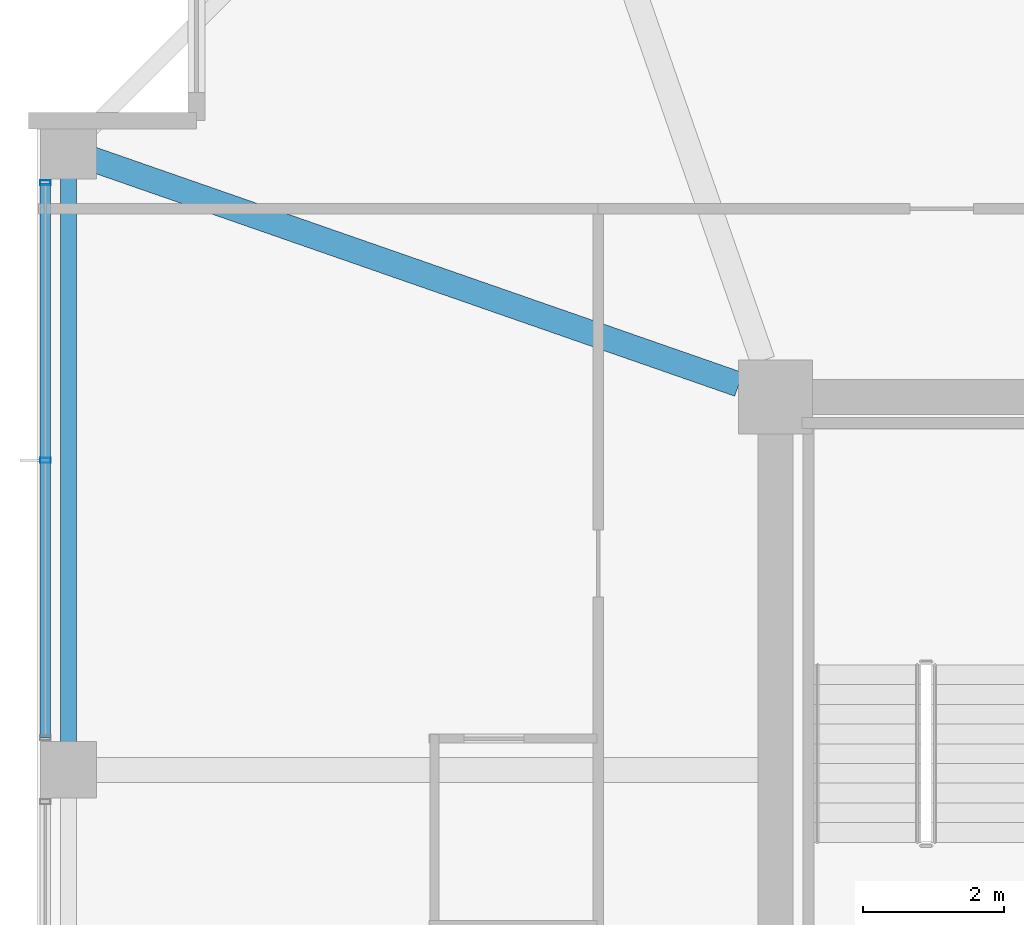
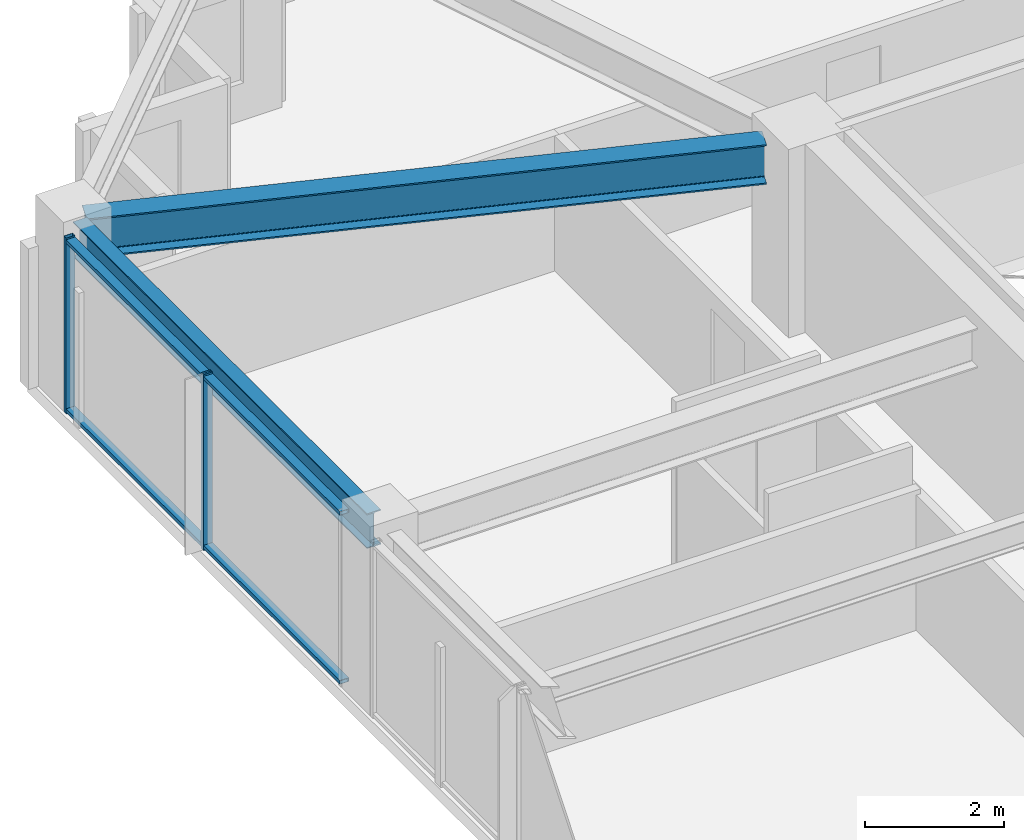
# One storey, part 14 of 36: 4 members, 2 beams, 1 element without a shape of its own.
"""IFC4 building model written with IfcOpenShell, lengths in metres."""

from ifc_helpers import new_model, si_unit, direction, frame, origin, origin_2d, place, context, subcontext, project, spatial, hollow_rectangle, i_section, extrude, material, material_profile, profile_set, type_object, element, aggregate, save


model = new_model("IFC4")

# Units and contexts
model_context = context("Model", 3, precision=1e-05, world=origin(), true_north=direction((0.0, 1.0)))
body_context = subcontext(model_context, "Body", "Model", "MODEL_VIEW")
ifc_project = project(units=[si_unit("LENGTHUNIT", "METRE"), si_unit("AREAUNIT", "SQUARE_METRE"), si_unit("VOLUMEUNIT", "CUBIC_METRE"), si_unit("PLANEANGLEUNIT", "RADIAN"), si_unit("MASSUNIT", "GRAM", prefix="KILO")], contexts=[model_context])

# Site, building, storey
site_placement = place(None, origin())
site = spatial("IfcSite", under=ifc_project, at=site_placement, CompositionType="ELEMENT")
building_placement = place(site_placement, origin())
building = spatial("IfcBuilding", under=site, at=building_placement, Name="Kolvaren Belvedere", CompositionType="ELEMENT")
storey_placement = place(building_placement, frame((0.0, 0.0, 199.800048828125)))
storey = spatial("IfcBuildingStorey", under=building, at=storey_placement, Name="L58", CompositionType="ELEMENT", Elevation=199.800048828125)

# Beams
ifc_material_1 = material(Name="Structural steel ASTM A992 Grade 50", Category="steel")
ifc_material_profile_1 = material_profile(ifc_material_1, i_section(OverallWidth=0.35498046875, OverallDepth=0.696044921875, WebThickness=0.015380859375, FlangeThickness=0.02490234375, FilletRadius=0.02197265625, at=origin_2d()), Name="W27X146")
ifc_profile_set_1 = profile_set([ifc_material_profile_1], Name="Structural steel ASTM A992 Grade 50")
beam_type_1 = type_object("IfcBeamType", Name="BM-GIRD-W27X146", PredefinedType="BEAM", material=ifc_profile_set_1)
beam_1_placement = place(storey_placement, frame((-10.41943359375, 10.080810546875, 2.73193359375), z_axis=(-0.944365399758, 0.328898147971, 0.0), x_axis=(-0.328898147971, -0.944365399758, 0.0)))
element("IfcBeam", 1, at=beam_1_placement, inside=storey, type_object=beam_type_1, Name="L58 Corner Core-to-Perimeter Girder CC4-W4", PredefinedType="BEAM", context=body_context, shape_type="SweptSolid", body=[
    extrude(i_section(OverallWidth=0.35498046875, OverallDepth=0.696044921875, WebThickness=0.015380859375, FlangeThickness=0.02490234375, FilletRadius=0.02197265625, at=origin_2d()), origin(), (0.0, 0.0, 1.0), 9.931884765625),
])
ifc_material_2 = material(Name="Structural steel ASTM A992 Grade 50", Category="steel")
ifc_material_profile_2 = material_profile(ifc_material_2, i_section(OverallWidth=0.22900390625, OverallDepth=0.612060546875, WebThickness=0.011962890625, FlangeThickness=0.01953125, FilletRadius=0.01806640625, at=origin_2d()), Name="W24X84")
ifc_profile_set_2 = profile_set([ifc_material_profile_2], Name="Structural steel ASTM A992 Grade 50")
beam_type_2 = type_object("IfcBeamType", Name="BM-SPAN-W24X84", PredefinedType="SPANDREL", material=ifc_profile_set_2)
beam_2_placement = place(storey_placement, frame((-19.949951171875, 13.219970703125, 2.77392578125), z_axis=(0.0, -1.0, 0.0), x_axis=(1.0, 0.0, 0.0)))
element("IfcBeam", 2, at=beam_2_placement, inside=storey, type_object=beam_type_2, Name="L58 Perimeter Spandrel W4-W3", PredefinedType="SPANDREL", context=body_context, shape_type="SweptSolid", body=[
    extrude(i_section(OverallWidth=0.22900390625, OverallDepth=0.612060546875, WebThickness=0.011962890625, FlangeThickness=0.01953125, FilletRadius=0.01806640625, at=origin_2d()), origin(), (0.0, 0.0, 1.0), 8.43994140625),
])

# Curtain wall, members
ifc_material_3 = material(Name="Anodised pale-metal aluminium AA 6063-T6", Category="aluminium")
curtain_wall_type = type_object("IfcCurtainWallType", Name="CW-Z5-HIGH", PredefinedType="NOTDEFINED", material=ifc_material_3)
curtain_wall_placement = place(storey_placement, origin())
curtain_wall = element("IfcCurtainWall", 3, at=curtain_wall_placement, inside=storey, type_object=curtain_wall_type, Name="L58 Unitised Curtain Wall FCW-L58-W-B3", PredefinedType="NOTDEFINED")
ifc_material_4 = material(Name="Anodised pale-metal aluminium AA 6063-T6", Category="aluminium")
ifc_material_profile_3 = material_profile(ifc_material_4, hollow_rectangle(XDim=0.070068359375, YDim=0.14990234375, WallThickness=0.004150390625, at=origin_2d()), Name="ALU-MUL-150X70")
ifc_profile_set_3 = profile_set([ifc_material_profile_3], Name="Anodised pale-metal aluminium AA 6063-T6")
member_type_1 = type_object("IfcMemberType", Name="CW-MUL-150", PredefinedType="MULLION", material=ifc_profile_set_3)
member_1_placement = place(storey_placement, frame((-20.280029296875, 9.0, 0.0), z_axis=(0.0, 0.0, 1.0), x_axis=(0.0, 1.0, 0.0)))
member_1 = element("IfcMember", 4, at=member_1_placement, type_object=member_type_1, Name="FCW-L58-W-B3 Unitised Mullion 2", PredefinedType="MULLION", context=body_context, shape_type="SweptSolid", body=[
    extrude(hollow_rectangle(XDim=0.070068359375, YDim=0.14990234375, WallThickness=0.004150390625, at=origin_2d()), origin(), (0.0, 0.0, 1.0), 3.079833984375),
])
member_2_placement = place(storey_placement, frame((-20.280029296875, 12.945068359375, 0.0), z_axis=(0.0, 0.0, 1.0), x_axis=(0.0, 1.0, 0.0)))
member_2 = element("IfcMember", 5, at=member_2_placement, type_object=member_type_1, Name="FCW-L58-W-B3 Unitised Mullion 3", PredefinedType="MULLION", context=body_context, shape_type="SweptSolid", body=[
    extrude(hollow_rectangle(XDim=0.070068359375, YDim=0.14990234375, WallThickness=0.004150390625, at=origin_2d()), origin(), (0.0, 0.0, 1.0), 3.079833984375),
])
ifc_material_5 = material(Name="Anodised pale-metal aluminium AA 6063-T6", Category="aluminium")
ifc_material_profile_4 = material_profile(ifc_material_5, hollow_rectangle(XDim=0.06494140625, YDim=0.14990234375, WallThickness=0.00390625, at=origin_2d()), Name="ALU-TRN-150X65")
ifc_profile_set_4 = profile_set([ifc_material_profile_4], Name="Anodised pale-metal aluminium AA 6063-T6")
member_type_2 = type_object("IfcMemberType", Name="CW-TRN-150", PredefinedType="USERDEFINED", material=ifc_profile_set_4)
member_3_placement = place(storey_placement, frame((-20.280029296875, 5.054931640625, 0.06005859375), z_axis=(0.0, 1.0, 0.0), x_axis=(0.0, 0.0, 1.0)))
member_3 = element("IfcMember", 6, at=member_3_placement, type_object=member_type_2, Name="FCW-L58-W-B3 Sill Transom", ObjectType="TRANSOM", PredefinedType="USERDEFINED", context=body_context, shape_type="SweptSolid", body=[
    extrude(hollow_rectangle(XDim=0.06494140625, YDim=0.14990234375, WallThickness=0.00390625, at=origin_2d()), origin(), (0.0, 0.0, 1.0), 7.89013671875),
])
member_4_placement = place(storey_placement, frame((-20.280029296875, 5.054931640625, 3.02001953125), z_axis=(0.0, 1.0, 0.0), x_axis=(0.0, 0.0, 1.0)))
member_4 = element("IfcMember", 7, at=member_4_placement, type_object=member_type_2, Name="FCW-L58-W-B3 Head Transom", ObjectType="TRANSOM", PredefinedType="USERDEFINED", context=body_context, shape_type="SweptSolid", body=[
    extrude(hollow_rectangle(XDim=0.06494140625, YDim=0.14990234375, WallThickness=0.00390625, at=origin_2d()), origin(), (0.0, 0.0, 1.0), 7.89013671875),
])
aggregate(curtain_wall, [member_1, member_2, member_3, member_4])

save(model, "model.ifc")
